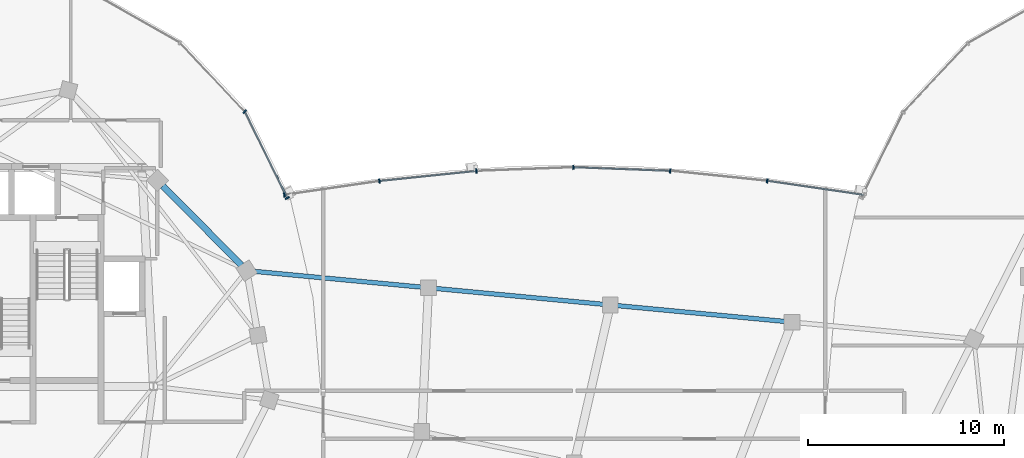
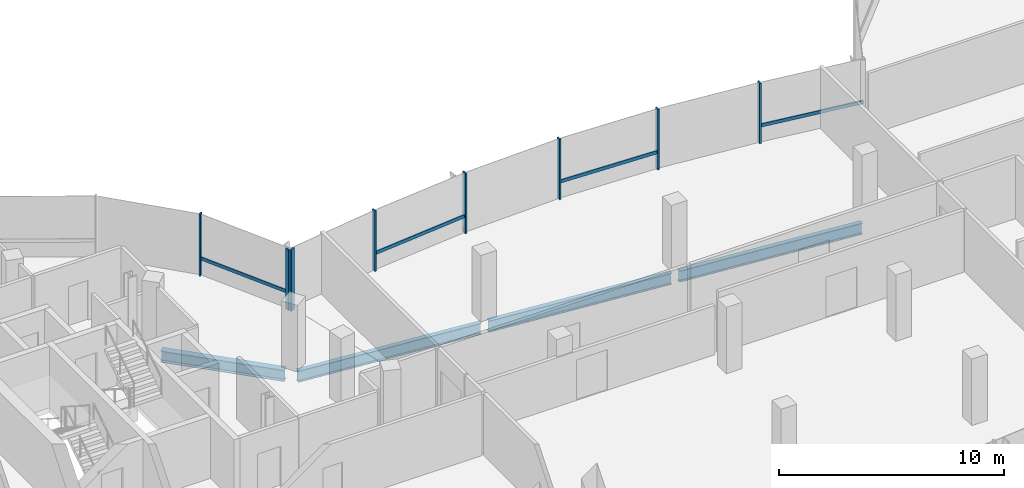
# One storey, part 7 of 25: 12 members, 4 beams, 2 elements without a shape of their own.
"""IFC4 building model written with IfcOpenShell, lengths in metres."""

from ifc_helpers import new_model, si_unit, direction, frame, origin, origin_2d, place, context, subcontext, project, spatial, rectangle, i_section, extrude, material, material_profile, profile_set, type_object, element, aggregate, save


model = new_model("IFC4")

# Units and contexts
model_context = context("Model", 3, precision=1e-05, world=origin(), true_north=direction((0.0, 1.0)))
body_context = subcontext(model_context, "Body", "Model", "MODEL_VIEW")
ifc_project = project(units=[si_unit("LENGTHUNIT", "METRE"), si_unit("AREAUNIT", "SQUARE_METRE"), si_unit("VOLUMEUNIT", "CUBIC_METRE"), si_unit("PLANEANGLEUNIT", "RADIAN"), si_unit("MASSUNIT", "GRAM", prefix="KILO"), si_unit("THERMODYNAMICTEMPERATUREUNIT", "KELVIN"), si_unit("POWERUNIT", "WATT")], contexts=[model_context])

# Site, building, storey
site_placement = place(None, origin())
site = spatial("IfcSite", under=ifc_project, at=site_placement, CompositionType="ELEMENT")
building_placement = place(site_placement, origin())
building = spatial("IfcBuilding", under=site, at=building_placement, Name="Cundina Bronze Exchange", CompositionType="ELEMENT")
storey_placement = place(building_placement, frame((0.0, 0.0, 246.800048828125)))
storey = spatial("IfcBuildingStorey", under=building, at=storey_placement, Name="L65", CompositionType="ELEMENT", Elevation=246.800048828125)

# Beams
ifc_material_1 = material(Name="Steel ASTM A992 Grade 50", Category="steel")
ifc_material_profile_1 = material_profile(ifc_material_1, i_section(OverallWidth=0.22998046875, OverallDepth=0.616943359375, WebThickness=0.01318359375, FlangeThickness=0.022216796875, FilletRadius=0.013916015625, at=origin_2d()), Name="W24X94", Category="steel")
ifc_profile_set_1 = profile_set([ifc_material_profile_1], Name="Steel ASTM A992 Grade 50")
beam_type_1 = type_object("IfcBeamType", Name="BM-FLR-W24B", PredefinedType="BEAM", material=ifc_profile_set_1)
beam_1_placement = place(storey_placement, frame((-16.520751953125, 9.783203125, -0.628662109375), z_axis=(0.995572136276, -0.094000646124, 0.0), x_axis=(0.094000646124, 0.995572136276, 0.0)))
element("IfcBeam", 1, at=beam_1_placement, inside=storey, type_object=beam_type_1, Name="L65 Sky-Gate Longitudinal Girder Y3-P1", PredefinedType="BEAM", context=body_context, shape_type="SweptSolid", body=[
    extrude(i_section(OverallWidth=0.22998046875, OverallDepth=0.616943359375, WebThickness=0.01318359375, FlangeThickness=0.022216796875, FilletRadius=0.013916015625, at=origin_2d()), origin(), (0.0, 0.0, 1.0), 8.949951171875),
])
beam_2_placement = place(storey_placement, frame((-7.251953125, 8.908203125, -0.628662109375), z_axis=(0.995571895232, -0.094003199007, 0.0), x_axis=(0.094003199007, 0.995571895232, 0.0)))
element("IfcBeam", 2, at=beam_2_placement, inside=storey, type_object=beam_type_1, Name="L65 Sky-Gate Longitudinal Girder Y3-P2", PredefinedType="BEAM", context=body_context, shape_type="SweptSolid", body=[
    extrude(i_section(OverallWidth=0.22998046875, OverallDepth=0.616943359375, WebThickness=0.01318359375, FlangeThickness=0.022216796875, FilletRadius=0.013916015625, at=origin_2d()), origin(), (0.0, 0.0, 1.0), 8.94970703125),
])
beam_3_placement = place(storey_placement, frame((2.0166015625, 8.033203125, -0.628662109375), z_axis=(0.995572136276, -0.094000646124, 0.0), x_axis=(0.094000646124, 0.995572136276, 0.0)))
element("IfcBeam", 3, at=beam_3_placement, inside=storey, type_object=beam_type_1, Name="L65 Sky-Gate Longitudinal Girder Y3-P3", PredefinedType="BEAM", context=body_context, shape_type="SweptSolid", body=[
    extrude(i_section(OverallWidth=0.22998046875, OverallDepth=0.616943359375, WebThickness=0.01318359375, FlangeThickness=0.022216796875, FilletRadius=0.013916015625, at=origin_2d()), origin(), (0.0, 0.0, 1.0), 8.949951171875),
])
ifc_material_profile_2 = material_profile(ifc_material_1, i_section(OverallWidth=0.324951171875, OverallDepth=0.615966796875, WebThickness=0.013916015625, FlangeThickness=0.021484375, FilletRadius=0.01611328125, at=origin_2d()), Name="W24X117", Category="steel")
ifc_profile_set_2 = profile_set([ifc_material_profile_2], Name="Steel ASTM A992 Grade 50")
beam_type_2 = type_object("IfcBeamType", Name="BM-RING-W24", PredefinedType="USERDEFINED", material=ifc_profile_set_2)
beam_4_placement = place(storey_placement, frame((-16.972900390625, 10.075927734375, -0.568115234375), z_axis=(-0.703237257446, 0.710955244541, 0.0), x_axis=(-0.710955244541, -0.703237257446, 0.0)))
element("IfcBeam", 4, at=beam_4_placement, inside=storey, type_object=beam_type_2, Name="L65 W Perimeter Ring Girder 02", ObjectType="GIRDER", PredefinedType="USERDEFINED", context=body_context, shape_type="SweptSolid", body=[
    extrude(i_section(OverallWidth=0.324951171875, OverallDepth=0.615966796875, WebThickness=0.013916015625, FlangeThickness=0.021484375, FilletRadius=0.01611328125, at=origin_2d()), origin(), (0.0, 0.0, 1.0), 5.69384765625),
])

# Curtain wall, members
ifc_material_2 = material(Name="Anodised Bronze Aluminium 6063-T6", Category="aluminium")
curtain_wall_type = type_object("IfcCurtainWallType", Name="CWS-SKG-BRG", PredefinedType="NOTDEFINED", material=ifc_material_2)
curtain_wall_1_placement = place(storey_placement, origin())
curtain_wall_1 = element("IfcCurtainWall", 5, at=curtain_wall_1_placement, inside=storey, type_object=curtain_wall_type, Name="L65 CW-06 Curtain Wall Run CWR-L65-W1", PredefinedType="NOTDEFINED")
ifc_material_profile_3 = material_profile(ifc_material_2, rectangle(XDim=0.074951171875, YDim=0.219970703125, at=origin_2d()), Name="AL75X220", Category="aluminium")
ifc_profile_set_3 = profile_set([ifc_material_profile_3], Name="Anodised Bronze Aluminium 6063-T6")
member_type_1 = type_object("IfcMemberType", Name="CWM-MUL-220", PredefinedType="MULLION", material=ifc_profile_set_3)
member_1_placement = place(storey_placement, frame((-14.630859375, 13.50390625, 0.0), z_axis=(0.0, 0.0, 1.0), x_axis=(-0.440566004113, 0.897720221461, 0.0)))
member_1 = element("IfcMember", 6, at=member_1_placement, type_object=member_type_1, Name="CW-06 Mullion 1", PredefinedType="MULLION", context=body_context, shape_type="SweptSolid", body=[
    extrude(rectangle(XDim=0.074951171875, YDim=0.219970703125, at=origin_2d()), origin(), (0.0, 0.0, 1.0), 3.33984375),
])
member_2_placement = place(storey_placement, frame((-16.8037109375, 17.910400390625, 0.0), z_axis=(0.0, 0.0, 1.0), x_axis=(-0.684292606175, 0.729207535023, 0.0)))
member_2 = element("IfcMember", 7, at=member_2_placement, type_object=member_type_1, Name="CW-06 Mullion 2", PredefinedType="MULLION", context=body_context, shape_type="SweptSolid", body=[
    extrude(rectangle(XDim=0.074951171875, YDim=0.219970703125, at=origin_2d()), origin(), (0.0, 0.0, 1.0), 3.33984375),
])

curtain_wall_2_placement = place(storey_placement, origin())
curtain_wall_2 = element("IfcCurtainWall", 8, at=curtain_wall_2_placement, inside=storey, type_object=curtain_wall_type, Name="L65 CW-06 Curtain Wall Run CWR-L65-BRGN", PredefinedType="NOTDEFINED")
member_3_placement = place(storey_placement, frame((9.83447265625, 14.378173828125, 0.0), z_axis=(0.0, 0.0, 1.0), x_axis=(-0.994666875153, 0.103139747302, 0.0)))
member_3 = element("IfcMember", 9, at=member_3_placement, type_object=member_type_1, Name="CW-06 Mullion 2", PredefinedType="MULLION", context=body_context, shape_type="SweptSolid", body=[
    extrude(rectangle(XDim=0.074951171875, YDim=0.219970703125, at=origin_2d()), origin(), (0.0, 0.0, 1.0), 3.280029296875),
])
member_4_placement = place(storey_placement, frame((4.892578125, 14.88720703125, 0.0), z_axis=(0.0, 0.0, 1.0), x_axis=(-0.999302568116, 0.037341362551, 0.0)))
member_4 = element("IfcMember", 10, at=member_4_placement, type_object=member_type_1, Name="CW-06 Mullion 3", PredefinedType="MULLION", context=body_context, shape_type="SweptSolid", body=[
    extrude(rectangle(XDim=0.074951171875, YDim=0.219970703125, at=origin_2d()), origin(), (0.0, 0.0, 1.0), 3.280029296875),
])
member_5_placement = place(storey_placement, frame((-0.047607421875, 15.068115234375, 0.0), z_axis=(0.0, 0.0, 1.0), x_axis=(-0.999302568116, -0.037341362551, 0.0)))
member_5 = element("IfcMember", 11, at=member_5_placement, type_object=member_type_1, Name="CW-06 Mullion 4", PredefinedType="MULLION", context=body_context, shape_type="SweptSolid", body=[
    extrude(rectangle(XDim=0.074951171875, YDim=0.219970703125, at=origin_2d()), origin(), (0.0, 0.0, 1.0), 3.280029296875),
])
member_6_placement = place(storey_placement, frame((-4.98876953125, 14.88037109375, 0.0), z_axis=(0.0, 0.0, 1.0), x_axis=(-0.994666875153, -0.103139747302, 0.0)))
member_6 = element("IfcMember", 12, at=member_6_placement, type_object=member_type_1, Name="CW-06 Mullion 5", PredefinedType="MULLION", context=body_context, shape_type="SweptSolid", body=[
    extrude(rectangle(XDim=0.074951171875, YDim=0.219970703125, at=origin_2d()), origin(), (0.0, 0.0, 1.0), 3.280029296875),
])
member_7_placement = place(storey_placement, frame((-9.93310546875, 14.36572265625, 0.0), z_axis=(0.0, 0.0, 1.0), x_axis=(-0.989525789069, -0.144356201001, 0.0)))
member_7 = element("IfcMember", 13, at=member_7_placement, type_object=member_type_1, Name="CW-06 Mullion 6", PredefinedType="MULLION", context=body_context, shape_type="SweptSolid", body=[
    extrude(rectangle(XDim=0.074951171875, YDim=0.219970703125, at=origin_2d()), origin(), (0.0, 0.0, 1.0), 3.280029296875),
])
member_8_placement = place(storey_placement, frame((-14.779296875, 13.658935546875, 0.0), z_axis=(0.0, 0.0, 1.0), x_axis=(-0.989525789069, -0.144356201001, 0.0)))
member_8 = element("IfcMember", 14, at=member_8_placement, type_object=member_type_1, Name="CW-06 End Mullion", PredefinedType="MULLION", context=body_context, shape_type="SweptSolid", body=[
    extrude(rectangle(XDim=0.074951171875, YDim=0.219970703125, at=origin_2d()), origin(), (0.0, 0.0, 1.0), 3.280029296875),
])

# Member
ifc_material_profile_4 = material_profile(ifc_material_2, rectangle(XDim=0.070068359375, YDim=0.179931640625, at=origin_2d()), Name="AL70X180", Category="aluminium")
ifc_profile_set_4 = profile_set([ifc_material_profile_4], Name="Anodised Bronze Aluminium 6063-T6")
member_type_2 = type_object("IfcMemberType", Name="CWM-TRN-180", PredefinedType="USERDEFINED", material=ifc_profile_set_4)
member_9_placement = place(storey_placement, frame((-14.64892578125, 13.541015625, 0.919921875), z_axis=(-0.440554408939, 0.897725911826, 0.0), x_axis=(-0.897725911826, -0.440554408939, 0.0)))
member_9 = element("IfcMember", 15, at=member_9_placement, type_object=member_type_2, Name="CW-06 Spandrel Transom 1", ObjectType="TRANSOM", PredefinedType="USERDEFINED", context=body_context, shape_type="SweptSolid", body=[
    extrude(rectangle(XDim=0.070068359375, YDim=0.179931640625, at=origin_2d()), origin(), (0.0, 0.0, 1.0), 4.848388671875),
])

aggregate(curtain_wall_1, [member_1, member_9, member_2])

member_10_placement = place(storey_placement, frame((14.738525390625, 13.664794921875, 0.91845703125), z_axis=(-0.989531497997, 0.144317062302, 0.0), x_axis=(-0.144317062302, -0.989531497997, 0.0)))
member_10 = element("IfcMember", 16, at=member_10_placement, type_object=member_type_2, Name="CW-06 Spandrel Transom 1", ObjectType="TRANSOM", PredefinedType="USERDEFINED", context=body_context, shape_type="SweptSolid", body=[
    extrude(rectangle(XDim=0.070068359375, YDim=0.179931640625, at=origin_2d()), origin(), (0.0, 0.0, 1.0), 4.8974609375),
])

member_11_placement = place(storey_placement, frame((4.8515625, 14.888671875, 0.91845703125), z_axis=(-0.999303683555, 0.037311500026, 0.0), x_axis=(-0.037311500026, -0.999303683555, 0.0)))
member_11 = element("IfcMember", 17, at=member_11_placement, type_object=member_type_2, Name="CW-06 Spandrel Transom 3", ObjectType="TRANSOM", PredefinedType="USERDEFINED", context=body_context, shape_type="SweptSolid", body=[
    extrude(rectangle(XDim=0.070068359375, YDim=0.179931640625, at=origin_2d()), origin(), (0.0, 0.0, 1.0), 4.8486328125),
])

member_12_placement = place(storey_placement, frame((-5.02978515625, 14.8759765625, 0.91845703125), z_axis=(-0.994672497027, -0.103085516243, 0.0), x_axis=(0.103085516243, -0.994672497027, 0.0)))
member_12 = element("IfcMember", 18, at=member_12_placement, type_object=member_type_2, Name="CW-06 Spandrel Transom 5", ObjectType="TRANSOM", PredefinedType="USERDEFINED", context=body_context, shape_type="SweptSolid", body=[
    extrude(rectangle(XDim=0.070068359375, YDim=0.179931640625, at=origin_2d()), origin(), (0.0, 0.0, 1.0), 4.87158203125),
])

aggregate(curtain_wall_2, [member_10, member_3, member_4, member_11, member_5, member_6, member_12, member_7, member_8])

save(model, "model.ifc")
